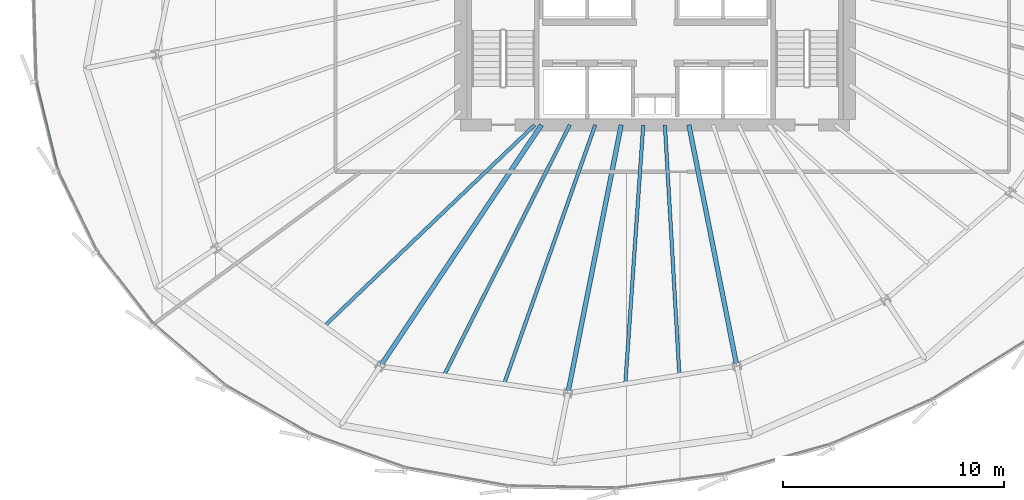
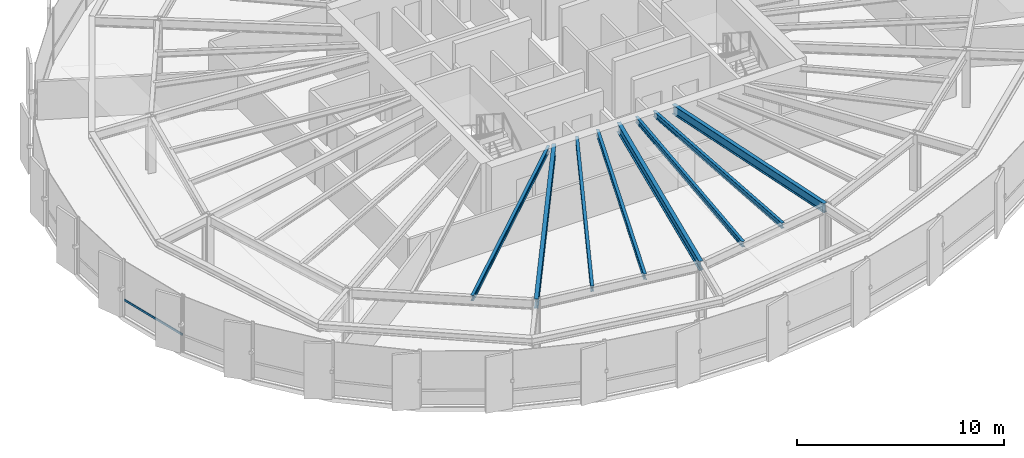
# One storey, part 7 of 33: 8 beams, 1 member, 1 element without a shape of its own.
"""IFC4 building model written with IfcOpenShell, lengths in metres."""

from ifc_helpers import new_model, si_unit, direction, frame, origin, origin_2d, place, context, subcontext, project, spatial, hollow_rectangle, i_section, extrude, source, transform, mapped, material, layer, layer_set, material_profile, profile_set, type_object, element, aggregate, save


model = new_model("IFC4")

# Units and contexts
model_context = context("Model", 3, precision=1e-05, world=origin(), true_north=direction((0.0, 1.0)))
body_context = subcontext(model_context, "Body", "Model", "MODEL_VIEW")
ifc_project = project(units=[si_unit("LENGTHUNIT", "METRE"), si_unit("AREAUNIT", "SQUARE_METRE"), si_unit("VOLUMEUNIT", "CUBIC_METRE"), si_unit("PLANEANGLEUNIT", "RADIAN"), si_unit("MASSUNIT", "GRAM", prefix="KILO"), si_unit("THERMODYNAMICTEMPERATUREUNIT", "KELVIN")], contexts=[model_context])

# Site, building, storey
site_placement = place(None, origin())
site = spatial("IfcSite", under=ifc_project, at=site_placement, CompositionType="ELEMENT")
building_placement = place(site_placement, origin())
building = spatial("IfcBuilding", under=site, at=building_placement, Name="Kethvar Cultural Tower", CompositionType="ELEMENT")
storey_placement = place(building_placement, frame((0.0, 0.0, 114.39990234375)))
storey = spatial("IfcBuildingStorey", under=building, at=storey_placement, Name="L28", CompositionType="ELEMENT", Elevation=114.39990234375)

# Beams
ifc_material_1 = material(Name="Steel S355J2", Category="steel")
ifc_material_profile_1 = material_profile(ifc_material_1, i_section(OverallWidth=0.2099609375, OverallDepth=0.550048828125, WebThickness=0.010986328125, FlangeThickness=0.01708984375, FilletRadius=0.02392578125, at=origin_2d()), Name="Steel S355J2 — IPE550")
ifc_profile_set_1 = profile_set([ifc_material_profile_1], Name="Steel S355J2 — IPE550")
beam_type_1 = type_object("IfcBeamType", Name="BM-IPE550", PredefinedType="BEAM", material=ifc_profile_set_1)
shared_shape_1 = source(origin(), body_context, "Body", "SweptSolid", [
    extrude(i_section(OverallWidth=0.2099609375, OverallDepth=0.550048828125, WebThickness=0.010986328125, FlangeThickness=0.01708984375, FilletRadius=0.02392578125, at=origin_2d()), origin(), (0.0, 0.0, 1.0), 13.147216796875),
])
beam_1_placement = place(storey_placement, frame((41.655029296875, 20.10009765625, 3.072998046875), z_axis=(-0.555565525446, -0.831472757783, 0.0), x_axis=(0.831472757783, -0.555565525446, 0.0)))
element("IfcBeam", 1, at=beam_1_placement, inside=storey, type_object=beam_type_1, Name="L28 Primary Radial Beam RB-11", PredefinedType="BEAM", context=body_context, shape_type="MappedRepresentation", body=[
    mapped(shared_shape_1, transform((0.0, 0.0, 0.0), scale=1.0)),
])
shared_shape_2 = source(origin(), body_context, "Body", "SweptSolid", [
    extrude(i_section(OverallWidth=0.2099609375, OverallDepth=0.550048828125, WebThickness=0.010986328125, FlangeThickness=0.01708984375, FilletRadius=0.02392578125, at=origin_2d()), origin(), (0.0, 0.0, 1.0), 12.384521484375),
])
beam_2_placement = place(storey_placement, frame((45.268310546875, 20.10009765625, 3.072998046875), z_axis=(-0.195084858678, -0.980786367113, 0.0), x_axis=(0.980786367113, -0.195084858678, 0.0)))
element("IfcBeam", 2, at=beam_2_placement, inside=storey, type_object=beam_type_1, Name="L28 Primary Radial Beam RB-12", PredefinedType="BEAM", context=body_context, shape_type="MappedRepresentation", body=[
    mapped(shared_shape_2, transform((0.0, 0.0, 0.0), scale=1.0)),
])
shared_shape_3 = source(origin(), body_context, "Body", "SweptSolid", [
    extrude(i_section(OverallWidth=0.2099609375, OverallDepth=0.550048828125, WebThickness=0.010986328125, FlangeThickness=0.01708984375, FilletRadius=0.02392578125, at=origin_2d()), origin(), (0.0, 0.0, 1.0), 11.131591796875),
])
beam_3_placement = place(storey_placement, frame((48.33154296875, 20.10009765625, 3.072998046875), z_axis=(0.195107998266, -0.980781764213, 0.0), x_axis=(0.980781764213, 0.195107998266, 0.0)))
element("IfcBeam", 3, at=beam_3_placement, inside=storey, type_object=beam_type_1, Name="L28 Primary Radial Beam RB-13", PredefinedType="BEAM", context=body_context, shape_type="MappedRepresentation", body=[
    mapped(shared_shape_3, transform((0.0, 0.0, 0.0), scale=1.0)),
])
ifc_material_profile_2 = material_profile(ifc_material_1, i_section(OverallWidth=0.159912109375, OverallDepth=0.330078125, WebThickness=0.007568359375, FlangeThickness=0.011474609375, FilletRadius=0.01806640625, at=origin_2d()), Name="Steel S355J2 — IPE330")
ifc_profile_set_2 = profile_set([ifc_material_profile_2], Name="Steel S355J2 — IPE330")
beam_type_2 = type_object("IfcBeamType", Name="BM-J330", PredefinedType="JOIST", material=ifc_profile_set_2)
shared_shape_4 = source(origin(), body_context, "Body", "SweptSolid", [
    extrude(i_section(OverallWidth=0.159912109375, OverallDepth=0.330078125, WebThickness=0.007568359375, FlangeThickness=0.011474609375, FilletRadius=0.01806640625, at=origin_2d()), origin(), (0.0, 0.0, 1.0), 13.1826171875),
])
beam_4_placement = place(storey_placement, frame((41.35009765625, 20.10009765625, 3.18310546875), z_axis=(-0.722573880181, -0.691293705801, 0.0), x_axis=(0.691293705801, -0.722573880181, 0.0)))
element("IfcBeam", 4, at=beam_4_placement, inside=storey, type_object=beam_type_2, Name="L28 Composite Floor Joist J-10B", PredefinedType="JOIST", context=body_context, shape_type="MappedRepresentation", body=[
    mapped(shared_shape_4, transform((0.0, 0.0, 0.0), scale=1.0)),
])
shared_shape_5 = source(origin(), body_context, "Body", "SweptSolid", [
    extrude(i_section(OverallWidth=0.159912109375, OverallDepth=0.330078125, WebThickness=0.007568359375, FlangeThickness=0.011474609375, FilletRadius=0.01806640625, at=origin_2d()), origin(), (0.0, 0.0, 1.0), 12.693603515625),
])
beam_5_placement = place(storey_placement, frame((42.935302734375, 20.10009765625, 3.18310546875), z_axis=(-0.448582495233, -0.893741430712, 0.0), x_axis=(0.893741430712, -0.448582495233, 0.0)))
element("IfcBeam", 5, at=beam_5_placement, inside=storey, type_object=beam_type_2, Name="L28 Composite Floor Joist J-11A", PredefinedType="JOIST", context=body_context, shape_type="MappedRepresentation", body=[
    mapped(shared_shape_5, transform((0.0, 0.0, 0.0), scale=1.0)),
])
shared_shape_6 = source(origin(), body_context, "Body", "SweptSolid", [
    extrude(i_section(OverallWidth=0.159912109375, OverallDepth=0.330078125, WebThickness=0.007568359375, FlangeThickness=0.011474609375, FilletRadius=0.01806640625, at=origin_2d()), origin(), (0.0, 0.0, 1.0), 12.4384765625),
])
beam_6_placement = place(storey_placement, frame((44.090576171875, 20.10009765625, 3.18310546875), z_axis=(-0.331923676994, -0.943306245421, 0.0), x_axis=(0.943306245421, -0.331923676994, 0.0)))
element("IfcBeam", 6, at=beam_6_placement, inside=storey, type_object=beam_type_2, Name="L28 Composite Floor Joist J-11B", PredefinedType="JOIST", context=body_context, shape_type="MappedRepresentation", body=[
    mapped(shared_shape_6, transform((0.0, 0.0, 0.0), scale=1.0)),
])
shared_shape_7 = source(origin(), body_context, "Body", "SweptSolid", [
    extrude(i_section(OverallWidth=0.159912109375, OverallDepth=0.330078125, WebThickness=0.007568359375, FlangeThickness=0.011474609375, FilletRadius=0.01806640625, at=origin_2d()), origin(), (0.0, 0.0, 1.0), 11.7568359375),
])
beam_7_placement = place(storey_placement, frame((46.266357421875, 20.10009765625, 3.18310546875), z_axis=(-0.069129203877, -0.997607715072, 0.0), x_axis=(0.997607715072, -0.069129203877, 0.0)))
element("IfcBeam", 7, at=beam_7_placement, inside=storey, type_object=beam_type_2, Name="L28 Composite Floor Joist J-12A", PredefinedType="JOIST", context=body_context, shape_type="MappedRepresentation", body=[
    mapped(shared_shape_7, transform((0.0, 0.0, 0.0), scale=1.0)),
])
shared_shape_8 = source(origin(), body_context, "Body", "SweptSolid", [
    extrude(i_section(OverallWidth=0.159912109375, OverallDepth=0.330078125, WebThickness=0.007568359375, FlangeThickness=0.011474609375, FilletRadius=0.01806640625, at=origin_2d()), origin(), (0.0, 0.0, 1.0), 11.354736328125),
])
beam_8_placement = place(storey_placement, frame((47.245849609375, 20.10009765625, 3.18310546875), z_axis=(0.057795585741, -0.998328438075, 0.0), x_axis=(0.998328438075, 0.057795585741, 0.0)))
element("IfcBeam", 8, at=beam_8_placement, inside=storey, type_object=beam_type_2, Name="L28 Composite Floor Joist J-12B", PredefinedType="JOIST", context=body_context, shape_type="MappedRepresentation", body=[
    mapped(shared_shape_8, transform((0.0, 0.0, 0.0), scale=1.0)),
])

# Curtain wall, member
ifc_material_2 = material(Name="Aluminium 6063-T6", Category="aluminium")
ifc_layer = layer(ifc_material_2, 0.179931640625, Name="Aluminium 6063-T6", Category="aluminium")
ifc_layer_set = layer_set([ifc_layer], Name="Aluminium 6063-T6 (180 mm)")
curtain_wall_type = type_object("IfcCurtainWallType", Name="CW-SYS-03-Z2", PredefinedType="NOTDEFINED", material=ifc_layer_set)
curtain_wall_placement = place(storey_placement, origin())
curtain_wall = element("IfcCurtainWall", 9, at=curtain_wall_placement, inside=storey, type_object=curtain_wall_type, Name="L28 Curtain Wall Run 03", PredefinedType="NOTDEFINED")
ifc_material_profile_3 = material_profile(ifc_material_2, hollow_rectangle(XDim=0.054931640625, YDim=0.1201171875, WallThickness=0.00390625, at=origin_2d()), Name="Aluminium 6063-T6 — RHS120x55x4")
ifc_profile_set_3 = profile_set([ifc_material_profile_3], Name="Aluminium 6063-T6 — RHS120x55x4")
member_type = type_object("IfcMemberType", Name="CW-SYS-03-Z2-TRN", PredefinedType="USERDEFINED", material=ifc_profile_set_3)
shared_shape_9 = source(origin(), body_context, "Body", "SweptSolid", [
    extrude(hollow_rectangle(XDim=0.054931640625, YDim=0.1201171875, WallThickness=0.00390625, at=origin_2d()), origin(), (0.0, 0.0, 1.0), 4.04345703125),
])
member_placement = place(storey_placement, frame((18.800048828125, 22.025390625, 0.9501953125), z_axis=(0.236990929815, -0.971511862607, 0.0), x_axis=(0.971511862607, 0.236990929815, 0.0)))
member = element("IfcMember", 10, at=member_placement, type_object=member_type, Name="CW-L28-R03 Transom 6", ObjectType="TRANSOM", PredefinedType="USERDEFINED", context=body_context, shape_type="MappedRepresentation", body=[
    mapped(shared_shape_9, transform((0.0, 0.0, 0.0), scale=1.0)),
])
aggregate(curtain_wall, [member])

save(model, "model.ifc")
